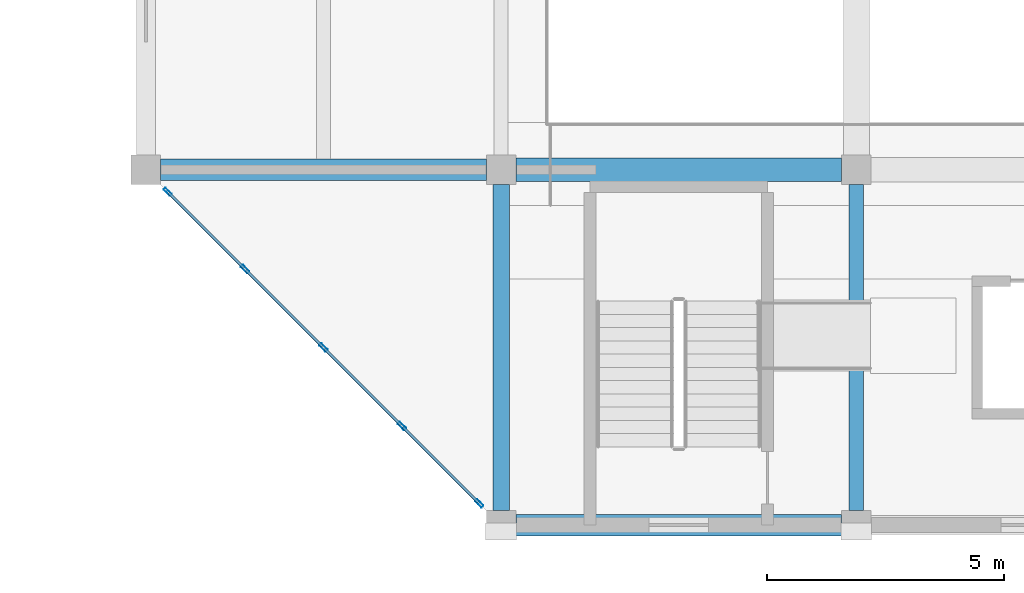
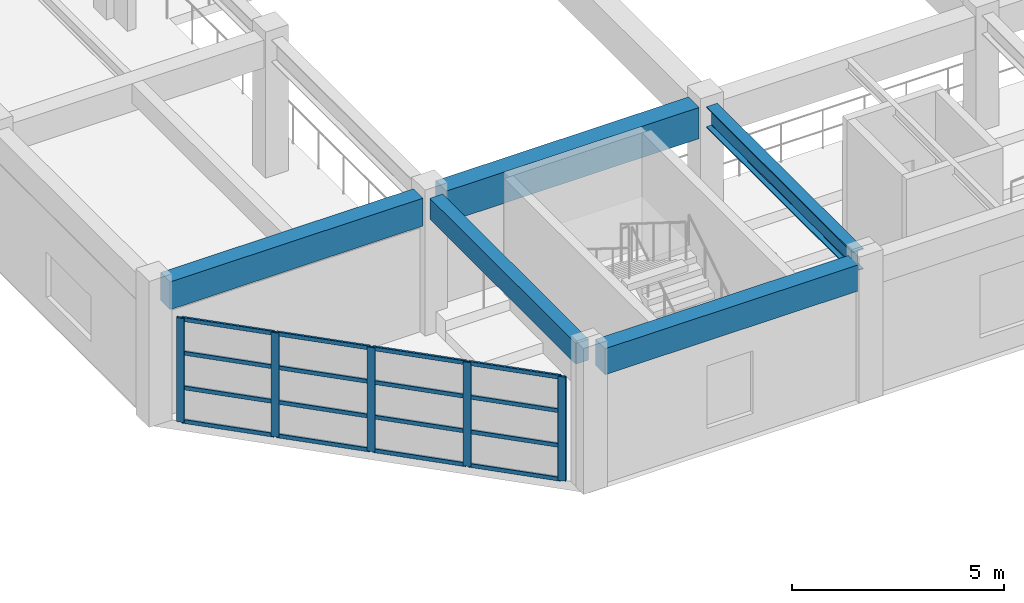
# One storey, part 64 of 132: 21 members, 5 beams, 1 element without a shape of its own.
"""IFC4 building model written with IfcOpenShell, lengths in metres."""

from ifc_helpers import new_model, si_unit, direction, frame, origin, origin_2d, place, context, subcontext, project, spatial, rectangle, hollow_rectangle, i_section, extrude, material, material_profile, profile_set, type_object, element, aggregate, save


model = new_model("IFC4")

# Units and contexts
model_context = context("Model", 3, precision=1e-05, world=origin(), true_north=direction((0.0, 1.0)))
body_context = subcontext(model_context, "Body", "Model", "MODEL_VIEW")
ifc_project = project(units=[si_unit("LENGTHUNIT", "METRE"), si_unit("AREAUNIT", "SQUARE_METRE"), si_unit("VOLUMEUNIT", "CUBIC_METRE"), si_unit("PLANEANGLEUNIT", "RADIAN"), si_unit("MASSUNIT", "GRAM", prefix="KILO")], contexts=[model_context])

# Site, building, storey
site_placement = place(None, origin())
site = spatial("IfcSite", under=ifc_project, at=site_placement, CompositionType="ELEMENT")
building_placement = place(site_placement, origin())
building = spatial("IfcBuilding", under=site, at=building_placement, Name="Qasida Concert Hall", CompositionType="ELEMENT")
storey_placement = place(building_placement, frame((0.0, 0.0, 4.800048828125)))
storey = spatial("IfcBuildingStorey", under=building, at=storey_placement, Name="L01", CompositionType="ELEMENT", Elevation=4.800048828125)

# Beams
ifc_material_1 = material(Name="Concrete C40/50", Category="concrete")
ifc_material_profile_1 = material_profile(ifc_material_1, rectangle(XDim=0.35009765625, YDim=0.60009765625, at=origin_2d()), Name="RC 350x600")
ifc_profile_set_1 = profile_set([ifc_material_profile_1], Name="Concrete C40/50")
beam_type_1 = type_object("IfcBeamType", Name="BM-B2", PredefinedType="BEAM", material=ifc_profile_set_1)
beam_1_placement = place(storey_placement, frame((135.0, 0.31005859375, 3.619873046875), z_axis=(0.0, 1.0, 0.0), x_axis=(-1.0, 0.0, 0.0)))
element("IfcBeam", 1, at=beam_1_placement, inside=storey, type_object=beam_type_1, Name="L01 girder 0872", PredefinedType="BEAM", context=body_context, shape_type="SweptSolid", body=[
    extrude(rectangle(XDim=0.35009765625, YDim=0.60009765625, at=origin_2d()), origin(), (0.0, 0.0, 1.0), 6.8798828125),
])
ifc_material_2 = material(Name="Steel S355J2", Category="steel")
ifc_material_profile_2 = material_profile(ifc_material_2, i_section(OverallWidth=0.300048828125, OverallDepth=0.60009765625, WebThickness=0.015380859375, FlangeThickness=0.030029296875, FilletRadius=0.027099609375, at=origin_2d()), Name="HEB 600")
ifc_profile_set_2 = profile_set([ifc_material_profile_2], Name="Steel S355J2")
beam_type_2 = type_object("IfcBeamType", Name="BM-B6", PredefinedType="BEAM", material=ifc_profile_set_2)
beam_2_placement = place(storey_placement, frame((142.5, 0.31005859375, 3.619873046875), z_axis=(0.0, 1.0, 0.0), x_axis=(-1.0, 0.0, 0.0)))
element("IfcBeam", 2, at=beam_2_placement, inside=storey, type_object=beam_type_2, Name="L01 girder 0876", PredefinedType="BEAM", context=body_context, shape_type="SweptSolid", body=[
    extrude(i_section(OverallWidth=0.300048828125, OverallDepth=0.60009765625, WebThickness=0.015380859375, FlangeThickness=0.030029296875, FilletRadius=0.027099609375, at=origin_2d()), origin(), (0.0, 0.0, 1.0), 6.8798828125),
])
ifc_material_profile_3 = material_profile(ifc_material_1, rectangle(XDim=0.5, YDim=0.89990234375, at=origin_2d()), Name="RC 500x900")
ifc_profile_set_3 = profile_set([ifc_material_profile_3], Name="Concrete C40/50")
beam_type_3 = type_object("IfcBeamType", Name="BM-G1", PredefinedType="USERDEFINED", material=ifc_profile_set_3)
beam_3_placement = place(storey_placement, frame((135.31005859375, 7.5, 3.469970703125), z_axis=(1.0, 0.0, 0.0), x_axis=(0.0, 1.0, 0.0)))
element("IfcBeam", 3, at=beam_3_placement, inside=storey, type_object=beam_type_3, Name="Primary girder 0856", ObjectType="GIRDER", PredefinedType="USERDEFINED", context=body_context, shape_type="SweptSolid", body=[
    extrude(rectangle(XDim=0.5, YDim=0.89990234375, at=origin_2d()), origin(), (0.0, 0.0, 1.0), 6.8798828125),
])
ifc_material_profile_4 = material_profile(ifc_material_1, rectangle(XDim=0.449951171875, YDim=0.800048828125, at=origin_2d()), Name="RC 450x800")
ifc_profile_set_4 = profile_set([ifc_material_profile_4], Name="Concrete C40/50")
beam_type_4 = type_object("IfcBeamType", Name="BM-G2", PredefinedType="USERDEFINED", material=ifc_profile_set_4)
beam_4_placement = place(storey_placement, frame((127.81005859375, 7.5, 3.52001953125), z_axis=(1.0, 0.0, 0.0), x_axis=(0.0, 1.0, 0.0)))
element("IfcBeam", 4, at=beam_4_placement, inside=storey, type_object=beam_type_4, Name="Primary girder 0855", ObjectType="GIRDER", PredefinedType="USERDEFINED", context=body_context, shape_type="SweptSolid", body=[
    extrude(rectangle(XDim=0.449951171875, YDim=0.800048828125, at=origin_2d()), origin(), (0.0, 0.0, 1.0), 6.8798828125),
])
ifc_material_profile_5 = material_profile(ifc_material_1, rectangle(XDim=0.449951171875, YDim=0.75, at=origin_2d()), Name="RC 450x750")
ifc_profile_set_5 = profile_set([ifc_material_profile_5], Name="Concrete C40/50")
beam_type_5 = type_object("IfcBeamType", Name="BM-SP4", PredefinedType="SPANDREL", material=ifc_profile_set_5)
beam_5_placement = place(storey_placement, frame((135.31005859375, 0.0, 3.544921875), z_axis=(1.0, 0.0, 0.0), x_axis=(0.0, 1.0, 0.0)))
element("IfcBeam", 5, at=beam_5_placement, inside=storey, type_object=beam_type_5, Name="Primary girder 0852", PredefinedType="SPANDREL", context=body_context, shape_type="SweptSolid", body=[
    extrude(rectangle(XDim=0.449951171875, YDim=0.75, at=origin_2d()), origin(), (0.0, 0.0, 1.0), 6.8798828125),
])

# Curtain wall, members
ifc_material_3 = material(Name="Architectural bronze-anodized aluminium and low-E glass", Category="aluminium")
curtain_wall_type = type_object("IfcCurtainWallType", Name="CW-07", PredefinedType="NOTDEFINED", material=ifc_material_3)
curtain_wall_placement = place(storey_placement, origin())
curtain_wall = element("IfcCurtainWall", 6, at=curtain_wall_placement, inside=storey, type_object=curtain_wall_type, Name="L01 curtain wall CW-07 0146", PredefinedType="NOTDEFINED")
ifc_material_4 = material(Name="Architectural bronze-anodized aluminium EN AW-6063", Category="aluminium")
ifc_material_profile_6 = material_profile(ifc_material_4, hollow_rectangle(XDim=0.06494140625, YDim=0.199951171875, WallThickness=0.0048828125, InnerFilletRadius=0.0048828125, OuterFilletRadius=0.010009765625, at=origin_2d()), Name="CWM 200x65x5")
ifc_profile_set_6 = profile_set([ifc_material_profile_6], Name="Architectural bronze-anodized aluminium EN AW-6063")
member_type_1 = type_object("IfcMemberType", Name="MB-CWM-2", PredefinedType="MULLION", material=ifc_profile_set_6)
member_1_placement = place(storey_placement, frame((127.96142578125, 7.03857421875, 0.0), z_axis=(0.0, 0.0, 1.0), x_axis=(0.707106781187, 0.707106781187, 0.0)))
member_1 = element("IfcMember", 7, at=member_1_placement, type_object=member_type_1, Name="CW-07 mullion 1", PredefinedType="MULLION", context=body_context, shape_type="SweptSolid", body=[
    extrude(hollow_rectangle(XDim=0.06494140625, YDim=0.199951171875, WallThickness=0.0048828125, InnerFilletRadius=0.0048828125, OuterFilletRadius=0.010009765625, at=origin_2d()), origin(), (0.0, 0.0, 1.0), 2.989990234375),
])
member_2_placement = place(storey_placement, frame((129.59423828125, 5.40576171875, 0.0), z_axis=(0.0, 0.0, 1.0), x_axis=(0.707106781187, 0.707106781187, 0.0)))
member_2 = element("IfcMember", 8, at=member_2_placement, type_object=member_type_1, Name="CW-07 mullion 2", PredefinedType="MULLION", context=body_context, shape_type="SweptSolid", body=[
    extrude(hollow_rectangle(XDim=0.06494140625, YDim=0.199951171875, WallThickness=0.0048828125, InnerFilletRadius=0.0048828125, OuterFilletRadius=0.010009765625, at=origin_2d()), origin(), (0.0, 0.0, 1.0), 2.989990234375),
])
member_3_placement = place(storey_placement, frame((131.25, 3.75, 0.0), z_axis=(0.0, 0.0, 1.0), x_axis=(0.707106781187, 0.707106781187, 0.0)))
member_3 = element("IfcMember", 9, at=member_3_placement, type_object=member_type_1, Name="CW-07 mullion 3", PredefinedType="MULLION", context=body_context, shape_type="SweptSolid", body=[
    extrude(hollow_rectangle(XDim=0.06494140625, YDim=0.199951171875, WallThickness=0.0048828125, InnerFilletRadius=0.0048828125, OuterFilletRadius=0.010009765625, at=origin_2d()), origin(), (0.0, 0.0, 1.0), 2.989990234375),
])
member_4_placement = place(storey_placement, frame((132.90576171875, 2.09423828125, 0.0), z_axis=(0.0, 0.0, 1.0), x_axis=(0.707106781187, 0.707106781187, 0.0)))
member_4 = element("IfcMember", 10, at=member_4_placement, type_object=member_type_1, Name="CW-07 mullion 4", PredefinedType="MULLION", context=body_context, shape_type="SweptSolid", body=[
    extrude(hollow_rectangle(XDim=0.06494140625, YDim=0.199951171875, WallThickness=0.0048828125, InnerFilletRadius=0.0048828125, OuterFilletRadius=0.010009765625, at=origin_2d()), origin(), (0.0, 0.0, 1.0), 2.989990234375),
])
member_5_placement = place(storey_placement, frame((134.53857421875, 0.46142578125, 0.0), z_axis=(0.0, 0.0, 1.0), x_axis=(0.707106781187, 0.707106781187, 0.0)))
member_5 = element("IfcMember", 11, at=member_5_placement, type_object=member_type_1, Name="CW-07 mullion 5", PredefinedType="MULLION", context=body_context, shape_type="SweptSolid", body=[
    extrude(hollow_rectangle(XDim=0.06494140625, YDim=0.199951171875, WallThickness=0.0048828125, InnerFilletRadius=0.0048828125, OuterFilletRadius=0.010009765625, at=origin_2d()), origin(), (0.0, 0.0, 1.0), 2.989990234375),
])
ifc_material_profile_7 = material_profile(ifc_material_4, hollow_rectangle(XDim=0.06005859375, YDim=0.1201171875, WallThickness=0.00390625, InnerFilletRadius=0.00390625, OuterFilletRadius=0.008056640625, at=origin_2d()), Name="CWT 120x60x4")
ifc_profile_set_7 = profile_set([ifc_material_profile_7], Name="Architectural bronze-anodized aluminium EN AW-6063")
member_type_2 = type_object("IfcMemberType", Name="MB-CWT-2", PredefinedType="USERDEFINED", material=ifc_profile_set_7)
member_6_placement = place(storey_placement, frame((127.984375, 7.015625, 0.030029296875), z_axis=(0.707106781187, -0.707106781187, 0.0), x_axis=(0.707106781187, 0.707106781187, 0.0)))
member_6 = element("IfcMember", 12, at=member_6_placement, type_object=member_type_2, Name="CW-07 transom 1.1", ObjectType="TRANSOM", PredefinedType="USERDEFINED", context=body_context, shape_type="SweptSolid", body=[
    extrude(hollow_rectangle(XDim=0.06005859375, YDim=0.1201171875, WallThickness=0.00390625, InnerFilletRadius=0.00390625, OuterFilletRadius=0.008056640625, at=origin_2d()), origin(), (0.0, 0.0, 1.0), 2.244140625),
])
member_7_placement = place(storey_placement, frame((127.984375, 7.015625, 0.99658203125), z_axis=(0.707106781187, -0.707106781187, 0.0), x_axis=(0.707106781187, 0.707106781187, 0.0)))
member_7 = element("IfcMember", 13, at=member_7_placement, type_object=member_type_2, Name="CW-07 transom 1.2", ObjectType="TRANSOM", PredefinedType="USERDEFINED", context=body_context, shape_type="SweptSolid", body=[
    extrude(hollow_rectangle(XDim=0.06005859375, YDim=0.1201171875, WallThickness=0.00390625, InnerFilletRadius=0.00390625, OuterFilletRadius=0.008056640625, at=origin_2d()), origin(), (0.0, 0.0, 1.0), 2.244140625),
])
member_8_placement = place(storey_placement, frame((127.984375, 7.015625, 1.9931640625), z_axis=(0.707106781187, -0.707106781187, 0.0), x_axis=(0.707106781187, 0.707106781187, 0.0)))
member_8 = element("IfcMember", 14, at=member_8_placement, type_object=member_type_2, Name="CW-07 transom 1.3", ObjectType="TRANSOM", PredefinedType="USERDEFINED", context=body_context, shape_type="SweptSolid", body=[
    extrude(hollow_rectangle(XDim=0.06005859375, YDim=0.1201171875, WallThickness=0.00390625, InnerFilletRadius=0.00390625, OuterFilletRadius=0.008056640625, at=origin_2d()), origin(), (0.0, 0.0, 1.0), 2.244140625),
])
member_9_placement = place(storey_placement, frame((127.984375, 7.015625, 2.9599609375), z_axis=(0.707106781187, -0.707106781187, 0.0), x_axis=(0.707106781187, 0.707106781187, 0.0)))
member_9 = element("IfcMember", 15, at=member_9_placement, type_object=member_type_2, Name="CW-07 transom 1.4", ObjectType="TRANSOM", PredefinedType="USERDEFINED", context=body_context, shape_type="SweptSolid", body=[
    extrude(hollow_rectangle(XDim=0.06005859375, YDim=0.1201171875, WallThickness=0.00390625, InnerFilletRadius=0.00390625, OuterFilletRadius=0.008056640625, at=origin_2d()), origin(), (0.0, 0.0, 1.0), 2.244140625),
])
member_10_placement = place(storey_placement, frame((129.6171875, 5.3828125, 0.030029296875), z_axis=(0.707106781187, -0.707106781187, 0.0), x_axis=(0.707106781187, 0.707106781187, 0.0)))
member_10 = element("IfcMember", 16, at=member_10_placement, type_object=member_type_2, Name="CW-07 transom 2.1", ObjectType="TRANSOM", PredefinedType="USERDEFINED", context=body_context, shape_type="SweptSolid", body=[
    extrude(hollow_rectangle(XDim=0.06005859375, YDim=0.1201171875, WallThickness=0.00390625, InnerFilletRadius=0.00390625, OuterFilletRadius=0.008056640625, at=origin_2d()), origin(), (0.0, 0.0, 1.0), 2.276611328125),
])
member_11_placement = place(storey_placement, frame((129.6171875, 5.3828125, 0.99658203125), z_axis=(0.707106781187, -0.707106781187, 0.0), x_axis=(0.707106781187, 0.707106781187, 0.0)))
member_11 = element("IfcMember", 17, at=member_11_placement, type_object=member_type_2, Name="CW-07 transom 2.2", ObjectType="TRANSOM", PredefinedType="USERDEFINED", context=body_context, shape_type="SweptSolid", body=[
    extrude(hollow_rectangle(XDim=0.06005859375, YDim=0.1201171875, WallThickness=0.00390625, InnerFilletRadius=0.00390625, OuterFilletRadius=0.008056640625, at=origin_2d()), origin(), (0.0, 0.0, 1.0), 2.276611328125),
])
member_12_placement = place(storey_placement, frame((129.6171875, 5.3828125, 1.9931640625), z_axis=(0.707106781187, -0.707106781187, 0.0), x_axis=(0.707106781187, 0.707106781187, 0.0)))
member_12 = element("IfcMember", 18, at=member_12_placement, type_object=member_type_2, Name="CW-07 transom 2.3", ObjectType="TRANSOM", PredefinedType="USERDEFINED", context=body_context, shape_type="SweptSolid", body=[
    extrude(hollow_rectangle(XDim=0.06005859375, YDim=0.1201171875, WallThickness=0.00390625, InnerFilletRadius=0.00390625, OuterFilletRadius=0.008056640625, at=origin_2d()), origin(), (0.0, 0.0, 1.0), 2.276611328125),
])
member_13_placement = place(storey_placement, frame((129.6171875, 5.3828125, 2.9599609375), z_axis=(0.707106781187, -0.707106781187, 0.0), x_axis=(0.707106781187, 0.707106781187, 0.0)))
member_13 = element("IfcMember", 19, at=member_13_placement, type_object=member_type_2, Name="CW-07 transom 2.4", ObjectType="TRANSOM", PredefinedType="USERDEFINED", context=body_context, shape_type="SweptSolid", body=[
    extrude(hollow_rectangle(XDim=0.06005859375, YDim=0.1201171875, WallThickness=0.00390625, InnerFilletRadius=0.00390625, OuterFilletRadius=0.008056640625, at=origin_2d()), origin(), (0.0, 0.0, 1.0), 2.276611328125),
])
member_14_placement = place(storey_placement, frame((131.27294921875, 3.72705078125, 0.030029296875), z_axis=(0.707106781187, -0.707106781187, 0.0), x_axis=(0.707106781187, 0.707106781187, 0.0)))
member_14 = element("IfcMember", 20, at=member_14_placement, type_object=member_type_2, Name="CW-07 transom 3.1", ObjectType="TRANSOM", PredefinedType="USERDEFINED", context=body_context, shape_type="SweptSolid", body=[
    extrude(hollow_rectangle(XDim=0.06005859375, YDim=0.1201171875, WallThickness=0.00390625, InnerFilletRadius=0.00390625, OuterFilletRadius=0.008056640625, at=origin_2d()), origin(), (0.0, 0.0, 1.0), 2.276611328125),
])
member_15_placement = place(storey_placement, frame((131.27294921875, 3.72705078125, 0.99658203125), z_axis=(0.707106781187, -0.707106781187, 0.0), x_axis=(0.707106781187, 0.707106781187, 0.0)))
member_15 = element("IfcMember", 21, at=member_15_placement, type_object=member_type_2, Name="CW-07 transom 3.2", ObjectType="TRANSOM", PredefinedType="USERDEFINED", context=body_context, shape_type="SweptSolid", body=[
    extrude(hollow_rectangle(XDim=0.06005859375, YDim=0.1201171875, WallThickness=0.00390625, InnerFilletRadius=0.00390625, OuterFilletRadius=0.008056640625, at=origin_2d()), origin(), (0.0, 0.0, 1.0), 2.276611328125),
])
member_16_placement = place(storey_placement, frame((131.27294921875, 3.72705078125, 1.9931640625), z_axis=(0.707106781187, -0.707106781187, 0.0), x_axis=(0.707106781187, 0.707106781187, 0.0)))
member_16 = element("IfcMember", 22, at=member_16_placement, type_object=member_type_2, Name="CW-07 transom 3.3", ObjectType="TRANSOM", PredefinedType="USERDEFINED", context=body_context, shape_type="SweptSolid", body=[
    extrude(hollow_rectangle(XDim=0.06005859375, YDim=0.1201171875, WallThickness=0.00390625, InnerFilletRadius=0.00390625, OuterFilletRadius=0.008056640625, at=origin_2d()), origin(), (0.0, 0.0, 1.0), 2.276611328125),
])
member_17_placement = place(storey_placement, frame((131.27294921875, 3.72705078125, 2.9599609375), z_axis=(0.707106781187, -0.707106781187, 0.0), x_axis=(0.707106781187, 0.707106781187, 0.0)))
member_17 = element("IfcMember", 23, at=member_17_placement, type_object=member_type_2, Name="CW-07 transom 3.4", ObjectType="TRANSOM", PredefinedType="USERDEFINED", context=body_context, shape_type="SweptSolid", body=[
    extrude(hollow_rectangle(XDim=0.06005859375, YDim=0.1201171875, WallThickness=0.00390625, InnerFilletRadius=0.00390625, OuterFilletRadius=0.008056640625, at=origin_2d()), origin(), (0.0, 0.0, 1.0), 2.276611328125),
])
member_18_placement = place(storey_placement, frame((132.9287109375, 2.0712890625, 0.030029296875), z_axis=(0.707106781187, -0.707106781187, 0.0), x_axis=(0.707106781187, 0.707106781187, 0.0)))
member_18 = element("IfcMember", 24, at=member_18_placement, type_object=member_type_2, Name="CW-07 transom 4.1", ObjectType="TRANSOM", PredefinedType="USERDEFINED", context=body_context, shape_type="SweptSolid", body=[
    extrude(hollow_rectangle(XDim=0.06005859375, YDim=0.1201171875, WallThickness=0.00390625, InnerFilletRadius=0.00390625, OuterFilletRadius=0.008056640625, at=origin_2d()), origin(), (0.0, 0.0, 1.0), 2.244140625),
])
member_19_placement = place(storey_placement, frame((132.9287109375, 2.0712890625, 0.99658203125), z_axis=(0.707106781187, -0.707106781187, 0.0), x_axis=(0.707106781187, 0.707106781187, 0.0)))
member_19 = element("IfcMember", 25, at=member_19_placement, type_object=member_type_2, Name="CW-07 transom 4.2", ObjectType="TRANSOM", PredefinedType="USERDEFINED", context=body_context, shape_type="SweptSolid", body=[
    extrude(hollow_rectangle(XDim=0.06005859375, YDim=0.1201171875, WallThickness=0.00390625, InnerFilletRadius=0.00390625, OuterFilletRadius=0.008056640625, at=origin_2d()), origin(), (0.0, 0.0, 1.0), 2.244140625),
])
member_20_placement = place(storey_placement, frame((132.9287109375, 2.0712890625, 1.9931640625), z_axis=(0.707106781187, -0.707106781187, 0.0), x_axis=(0.707106781187, 0.707106781187, 0.0)))
member_20 = element("IfcMember", 26, at=member_20_placement, type_object=member_type_2, Name="CW-07 transom 4.3", ObjectType="TRANSOM", PredefinedType="USERDEFINED", context=body_context, shape_type="SweptSolid", body=[
    extrude(hollow_rectangle(XDim=0.06005859375, YDim=0.1201171875, WallThickness=0.00390625, InnerFilletRadius=0.00390625, OuterFilletRadius=0.008056640625, at=origin_2d()), origin(), (0.0, 0.0, 1.0), 2.244140625),
])
member_21_placement = place(storey_placement, frame((132.9287109375, 2.0712890625, 2.9599609375), z_axis=(0.707106781187, -0.707106781187, 0.0), x_axis=(0.707106781187, 0.707106781187, 0.0)))
member_21 = element("IfcMember", 27, at=member_21_placement, type_object=member_type_2, Name="CW-07 transom 4.4", ObjectType="TRANSOM", PredefinedType="USERDEFINED", context=body_context, shape_type="SweptSolid", body=[
    extrude(hollow_rectangle(XDim=0.06005859375, YDim=0.1201171875, WallThickness=0.00390625, InnerFilletRadius=0.00390625, OuterFilletRadius=0.008056640625, at=origin_2d()), origin(), (0.0, 0.0, 1.0), 2.244140625),
])
aggregate(curtain_wall, [member_1, member_2, member_3, member_4, member_5, member_6, member_7, member_8, member_9, member_10, member_11, member_12, member_13, member_14, member_15, member_16, member_17, member_18, member_19, member_20, member_21])

save(model, "model.ifc")
